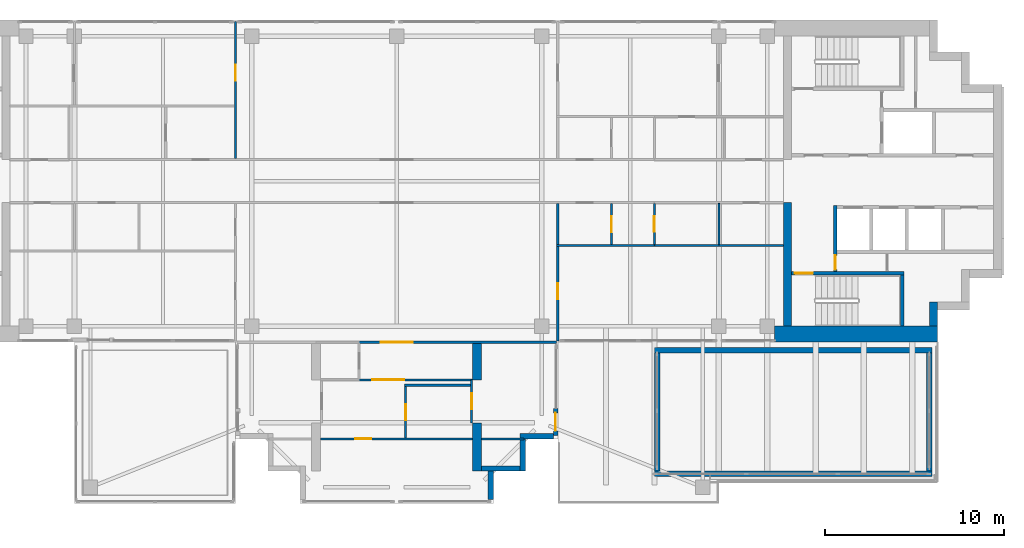
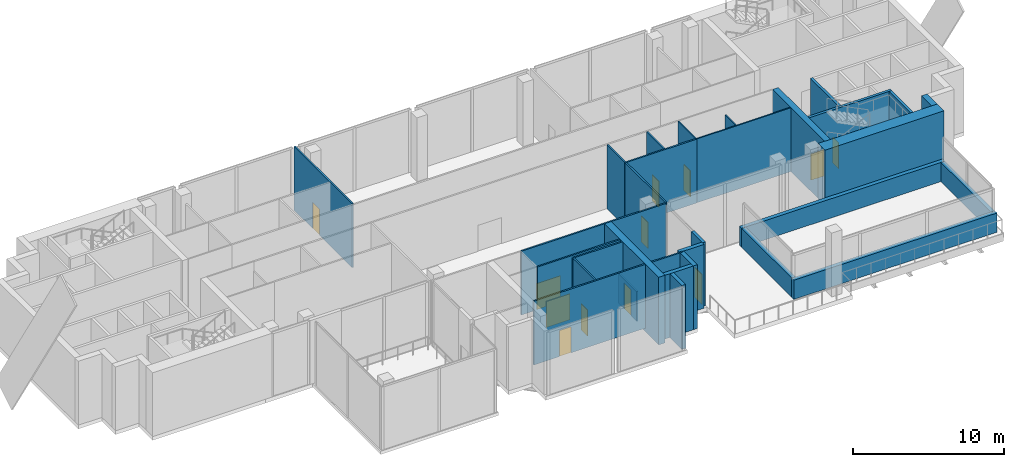
# One storey, part 8 of 14: 30 walls, 12 doors, 12 openings.
"""IFC4 building model written with IfcOpenShell, lengths in metres."""

from ifc_helpers import new_model, si_unit, direction, frame, frame_2d, origin, place, context, subcontext, project, spatial, polyline, rectangle, outline, extrude, material, layer, layer_set, material_profile, profile_set, type_object, element, fill, save


model = new_model("IFC4")

# Units and contexts
model_context = context("Model", 3, precision=1e-05, world=origin(), true_north=direction((0.0, 1.0)))
body_context = subcontext(model_context, "Body", "Model", "MODEL_VIEW")
ifc_project = project(units=[si_unit("LENGTHUNIT", "METRE"), si_unit("AREAUNIT", "SQUARE_METRE"), si_unit("VOLUMEUNIT", "CUBIC_METRE"), si_unit("PLANEANGLEUNIT", "RADIAN"), si_unit("MASSUNIT", "GRAM", prefix="KILO")], contexts=[model_context])

# Site, building, storey
site_placement = place(None, origin())
site = spatial("IfcSite", under=ifc_project, at=site_placement, CompositionType="ELEMENT")
building_placement = place(site_placement, origin())
building = spatial("IfcBuilding", under=site, at=building_placement, Name="Perihelion Cross Residences", CompositionType="ELEMENT")
storey_placement = place(building_placement, frame((0.0, 0.0, 285.0)))
storey = spatial("IfcBuildingStorey", under=building, at=storey_placement, Name="L73", CompositionType="ELEMENT", Elevation=285.0)

# Wall, opening, door
ifc_material_1 = material(Name="Concrete C30/37, bronze-clad", Category="concrete")
ifc_layer_1 = layer(ifc_material_1, 0.25)
ifc_layer_set_1 = layer_set([ifc_layer_1], Name="Bronze-clad pier wall 250")
wall_type_1 = type_object("IfcWallType", Name="Bronze-clad pier wall 250", PredefinedType="SOLIDWALL", material=ifc_layer_set_1)
wall_1_placement = place(storey_placement, frame((8.875, -14.199951171875, 0.0), z_axis=(0.0, 0.0, 1.0), x_axis=(0.0, 1.0, 0.0)))
wall_1 = element("IfcWall", 1, at=wall_1_placement, inside=storey, type_object=wall_type_1, Name="Wall FW1 L73 south side east bay 1 pier", PredefinedType="SOLIDWALL", context=body_context, shape_type="SweptSolid", body=[
    extrude(rectangle(XDim=1.5, YDim=0.25, at=frame_2d((0.75, 0.0))), origin(), (0.0, 0.0, 1.0), 5.14990234375),
])
opening_1_placement = place(wall_1_placement, frame((0.25, 0.0, 0.0)))
opening_1 = element("IfcOpeningElement", 2, at=opening_1_placement, cuts=wall_1, Name="Opening L73.E03", PredefinedType="OPENING", context=body_context, shape_type="SweptSolid", body=[
    extrude(rectangle(XDim=1.0, YDim=2.39990234375, at=frame_2d((0.5, 1.199951171875))), frame((0.0, 0.135009765625, 0.0), z_axis=(0.0, -1.0, 0.0), x_axis=(1.0, 0.0, 0.0)), (0.0, 0.0, 1.0), 0.27001953125),
])
ifc_material_2 = material(Name="Bronze anodised aluminium, glazed", Category="aluminium")
door_type_1 = type_object("IfcDoorType", Name="Balcony door 1000 x 2400", OperationType="NOTDEFINED", PredefinedType="DOOR", material=ifc_material_2)
door_1_placement = place(opening_1_placement, origin())
door_1 = element("IfcDoor", 3, at=door_1_placement, inside=storey, type_object=door_type_1, Name="Door L73.E03 south side east bay 1", OperationType="SINGLE_SWING_RIGHT", OverallHeight=2.39990234375, OverallWidth=1.0, PredefinedType="DOOR", context=body_context, shape_type="SweptSolid", body=[
    extrude(rectangle(XDim=1.0, YDim=2.39990234375, at=frame_2d((0.5, 1.199951171875))), frame((0.0, 0.02490234375, 0.0), z_axis=(0.0, -1.0, 0.0), x_axis=(1.0, 0.0, 0.0)), (0.0, 0.0, 1.0), 0.050048828125),
])
fill(opening_1, door_1)

# Walls
ifc_material_3 = material(Name="Concrete C30/37, bronze-clad", Category="concrete")
ifc_layer_2 = layer(ifc_material_3, 0.300048828125)
ifc_layer_set_2 = layer_set([ifc_layer_2], Name="Bronze-clad serration wall 300")
wall_type_2 = type_object("IfcWallType", Name="Bronze-clad serration wall 300", PredefinedType="SOLIDWALL", material=ifc_layer_set_2)
wall_2_placement = place(storey_placement, frame((5.25, -17.7900390625, 0.0), z_axis=(0.0, 0.0, 1.0), x_axis=(0.0, 1.0, 0.0)))
element("IfcWall", 4, at=wall_2_placement, inside=storey, type_object=wall_type_2, Name="Wall SR1 L73 south corner south-east 1", PredefinedType="SOLIDWALL", context=body_context, shape_type="SweptSolid", body=[
    extrude(rectangle(XDim=1.590087890625, YDim=0.300048828125, at=frame_2d((0.794921875, 0.0))), origin(), (0.0, 0.0, 1.0), 5.14990234375),
])
wall_3_placement = place(storey_placement, frame((4.75, -16.050048828125, 0.0), z_axis=(0.0, 0.0, 1.0), x_axis=(1.0, 0.0, 0.0)))
element("IfcWall", 5, at=wall_3_placement, inside=storey, type_object=wall_type_2, Name="Wall SR1 L73 south corner south-east 2", PredefinedType="SOLIDWALL", context=body_context, shape_type="SweptSolid", body=[
    extrude(rectangle(XDim=2.14990234375, YDim=0.300048828125, at=frame_2d((1.074951171875, 0.0))), origin(), (0.0, 0.0, 1.0), 5.14990234375),
])
wall_4_placement = place(storey_placement, frame((7.050048828125, -16.199951171875, 0.0), z_axis=(0.0, 0.0, 1.0), x_axis=(0.0, 1.0, 0.0)))
element("IfcWall", 6, at=wall_4_placement, inside=storey, type_object=wall_type_2, Name="Wall SR1 L73 south corner south-east 3", PredefinedType="SOLIDWALL", context=body_context, shape_type="SweptSolid", body=[
    extrude(rectangle(XDim=1.800048828125, YDim=0.300048828125, at=frame_2d((0.89990234375, 0.0))), origin(), (0.0, 0.0, 1.0), 5.14990234375),
])
wall_5_placement = place(storey_placement, frame((6.89990234375, -14.25, 0.0), z_axis=(0.0, 0.0, 1.0), x_axis=(1.0, 0.0, 0.0)))
element("IfcWall", 7, at=wall_5_placement, inside=storey, type_object=wall_type_2, Name="Wall SR1 L73 south corner south-east 4", PredefinedType="SOLIDWALL", context=body_context, shape_type="SweptSolid", body=[
    extrude(rectangle(XDim=1.85009765625, YDim=0.300048828125, at=frame_2d((0.925048828125, 0.0))), origin(), (0.0, 0.0, 1.0), 5.14990234375),
])
ifc_material_4 = material(Name="Concrete C60/75", Category="concrete")
ifc_layer_3 = layer(ifc_material_4, 0.449951171875)
ifc_layer_set_3 = layer_set([ifc_layer_3], Name="Core wall, inner 450")
wall_type_3 = type_object("IfcWallType", Name="Core wall, inner 450", PredefinedType="SHEAR", material=ifc_layer_set_3)
wall_6_placement = place(storey_placement, frame((21.824951171875, -8.10009765625, 0.0), z_axis=(0.0, 0.0, 1.0), x_axis=(0.0, 1.0, 0.0)))
element("IfcWall", 8, at=wall_6_placement, inside=storey, type_object=wall_type_3, Name="East core core wall, inner", PredefinedType="SHEAR", context=body_context, shape_type="SweptSolid", body=[
    extrude(rectangle(XDim=6.900146484375, YDim=0.449951171875, at=frame_2d((3.4501953125, 0.0))), origin(), (0.0, 0.0, 1.0), 5.14990234375),
])
ifc_material_5 = material(Name="Concrete C60/75", Category="concrete")
ifc_layer_4 = layer(ifc_material_5, 0.449951171875)
ifc_layer_set_4 = layer_set([ifc_layer_4], Name="Core wall, outer 450")
wall_type_4 = type_object("IfcWallType", Name="Core wall, outer 450", PredefinedType="SHEAR", material=ifc_layer_set_4)
wall_7_placement = place(storey_placement, frame((29.97509765625, -8.10009765625, 0.0), z_axis=(0.0, 0.0, 1.0), x_axis=(0.0, 1.0, 0.0)))
element("IfcWall", 9, at=wall_7_placement, inside=storey, type_object=wall_type_4, Name="East core core wall, outer", PredefinedType="SHEAR", context=body_context, shape_type="SweptSolid", body=[
    extrude(rectangle(XDim=1.35009765625, YDim=0.449951171875, at=frame_2d((0.675048828125, 0.0))), origin(), (0.0, 0.0, 1.0), 5.14990234375),
])
ifc_material_6 = material(Name="Concrete C60/75", Category="concrete")
ifc_layer_5 = layer(ifc_material_6, 0.89990234375)
ifc_layer_set_5 = layer_set([ifc_layer_5], Name="Core wall, outer 900")
wall_type_5 = type_object("IfcWallType", Name="Core wall, outer 900", PredefinedType="SHEAR", material=ifc_layer_set_5)
wall_8_placement = place(storey_placement, frame((21.10009765625, -8.550048828125, 0.0), z_axis=(0.0, 0.0, 1.0), x_axis=(1.0, 0.0, 0.0)))
element("IfcWall", 10, at=wall_8_placement, inside=storey, type_object=wall_type_5, Name="East core core wall, outer", PredefinedType="SHEAR", context=body_context, shape_type="SweptSolid", body=[
    extrude(rectangle(XDim=9.099853515625, YDim=0.89990234375, at=frame_2d((4.5498046875, 0.0))), origin(), (0.0, 0.0, 1.0), 5.14990234375),
])

# Wall, opening, door
ifc_material_7 = material(Name="Plasterboard partition")
ifc_layer_6 = layer(ifc_material_7, 0.1201171875)
ifc_layer_set_6 = layer_set([ifc_layer_6], Name="Infill panel 120")
wall_type_6 = type_object("IfcWallType", Name="Infill panel 120", PredefinedType="PARTITIONING", material=ifc_layer_set_6)
wall_9_placement = place(storey_placement, frame((4.18994140625, -11.10009765625, 0.0), z_axis=(0.0, 0.0, 1.0), x_axis=(0.0, -1.0, 0.0)))
wall_9 = element("IfcWall", 11, at=wall_9_placement, inside=storey, type_object=wall_type_6, Name="Partition L73 WI01", PredefinedType="PARTITIONING", context=body_context, shape_type="SweptSolid", body=[
    extrude(rectangle(XDim=2.39990234375, YDim=0.1201171875, at=frame_2d((1.199951171875, 0.0))), origin(), (0.0, 0.0, 1.0), 2.39990234375),
])
opening_2_placement = place(wall_9_placement, frame((0.75, 0.0, 0.0)))
opening_2 = element("IfcOpeningElement", 12, at=opening_2_placement, cuts=wall_9, Name="Opening L73.A28", PredefinedType="OPENING", context=body_context, shape_type="SweptSolid", body=[
    extrude(rectangle(XDim=0.89990234375, YDim=2.10009765625, at=frame_2d((0.449951171875, 1.050048828125))), frame((0.0, 0.070068359375, 0.0), z_axis=(0.0, -1.0, 0.0), x_axis=(1.0, 0.0, 0.0)), (0.0, 0.0, 1.0), 0.14013671875),
])
ifc_material_8 = material(Name="Timber door leaf", Category="wood")
door_type_2 = type_object("IfcDoorType", Name="Interior room door 900 x 2100", OperationType="SINGLE_SWING_LEFT", PredefinedType="DOOR", material=ifc_material_8)
door_2_placement = place(opening_2_placement, origin())
door_2 = element("IfcDoor", 13, at=door_2_placement, inside=storey, type_object=door_type_2, Name="Door L73.A28", OperationType="SINGLE_SWING_LEFT", OverallHeight=2.10009765625, OverallWidth=0.89990234375, PredefinedType="DOOR", context=body_context, shape_type="SweptSolid", body=[
    extrude(rectangle(XDim=0.89990234375, YDim=2.10009765625, at=frame_2d((0.449951171875, 1.050048828125))), frame((0.0, 0.02490234375, 0.0), z_axis=(0.0, -1.0, 0.0), x_axis=(1.0, 0.0, 0.0)), (0.0, 0.0, 1.0), 0.050048828125),
])
fill(opening_2, door_2)

ifc_material_9 = material(Name="Concrete C50/60", Category="concrete")
ifc_layer_7 = layer(ifc_material_9, 0.199951171875)
ifc_layer_set_7 = layer_set([ifc_layer_7], Name="Lobby wall 200")
wall_type_7 = type_object("IfcWallType", Name="Lobby wall 200", PredefinedType="SOLIDWALL", material=ifc_layer_set_7)
wall_10_placement = place(storey_placement, frame((24.5, -5.050048828125, 0.0), z_axis=(0.0, 0.0, 1.0), x_axis=(0.0, 1.0, 0.0)))
wall_10 = element("IfcWall", 14, at=wall_10_placement, inside=storey, type_object=wall_type_7, Name="East core lobby wall", PredefinedType="SOLIDWALL", context=body_context, shape_type="SweptSolid", body=[
    extrude(rectangle(XDim=3.699951171875, YDim=0.199951171875, at=frame_2d((1.85009765625, 0.0))), origin(), (0.0, 0.0, 1.0), 5.14990234375),
])
opening_3_placement = place(wall_10_placement, frame((0.10009765625, 0.0, 0.0)))
opening_3 = element("IfcOpeningElement", 15, at=opening_3_placement, cuts=wall_10, Name="Opening L73.C08", PredefinedType="OPENING", context=body_context, shape_type="SweptSolid", body=[
    extrude(rectangle(XDim=0.800048828125, YDim=2.10009765625, at=frame_2d((0.39990234375, 1.050048828125))), frame((0.0, 0.10986328125, 0.0), z_axis=(0.0, -1.0, 0.0), x_axis=(1.0, 0.0, 0.0)), (0.0, 0.0, 1.0), 0.219970703125),
])
ifc_material_10 = material(Name="Steel, powder coated", Category="steel")
door_type_3 = type_object("IfcDoorType", Name="Riser door 800", OperationType="SINGLE_SWING_LEFT", PredefinedType="DOOR", material=ifc_material_10)
door_3_placement = place(opening_3_placement, origin())
door_3 = element("IfcDoor", 16, at=door_3_placement, inside=storey, type_object=door_type_3, Name="East core riser door", OperationType="SINGLE_SWING_LEFT", OverallHeight=2.10009765625, OverallWidth=0.800048828125, PredefinedType="DOOR", context=body_context, shape_type="SweptSolid", body=[
    extrude(rectangle(XDim=0.800048828125, YDim=2.10009765625, at=frame_2d((0.39990234375, 1.050048828125))), frame((0.0, 0.02490234375, 0.0), z_axis=(0.0, -1.0, 0.0), x_axis=(1.0, 0.0, 0.0)), (0.0, 0.0, 1.0), 0.050048828125),
])
fill(opening_3, door_3)

ifc_material_11 = material(Name="Plasterboard partition")
ifc_layer_8 = layer(ifc_material_11, 0.1201171875)
ifc_layer_set_8 = layer_set([ifc_layer_8], Name="Partition wall 120")
wall_type_8 = type_object("IfcWallType", Name="Partition wall 120", PredefinedType="PARTITIONING", material=ifc_layer_set_8)
wall_11_placement = place(storey_placement, frame((-9.0, 1.260009765625, 0.0), z_axis=(0.0, 0.0, 1.0), x_axis=(0.0, 1.0, 0.0)))
wall_11 = element("IfcWall", 17, at=wall_11_placement, inside=storey, type_object=wall_type_8, Name="Partition L73 W008", PredefinedType="PARTITIONING", context=body_context, shape_type="SweptSolid", body=[
    extrude(rectangle(XDim=7.659912109375, YDim=0.1201171875, at=frame_2d((3.830078125, 0.0))), origin(), (0.0, 0.0, 1.0), 5.14990234375),
])
opening_4_placement = place(wall_11_placement, frame((4.340087890625, 0.0, 0.0)))
opening_4 = element("IfcOpeningElement", 18, at=opening_4_placement, cuts=wall_11, Name="Opening L73.A14", PredefinedType="OPENING", context=body_context, shape_type="SweptSolid", body=[
    extrude(rectangle(XDim=0.89990234375, YDim=2.10009765625, at=frame_2d((0.449951171875, 1.050048828125))), frame((0.0, 0.070068359375, 0.0), z_axis=(0.0, -1.0, 0.0), x_axis=(1.0, 0.0, 0.0)), (0.0, 0.0, 1.0), 0.14013671875),
])
door_4_placement = place(opening_4_placement, origin())
door_4 = element("IfcDoor", 19, at=door_4_placement, inside=storey, type_object=door_type_2, Name="Door L73.A14", OperationType="SINGLE_SWING_LEFT", OverallHeight=2.10009765625, OverallWidth=0.89990234375, PredefinedType="DOOR", context=body_context, shape_type="SweptSolid", body=[
    extrude(rectangle(XDim=0.89990234375, YDim=2.10009765625, at=frame_2d((0.449951171875, 1.050048828125))), frame((0.0, 0.02490234375, 0.0), z_axis=(0.0, -1.0, 0.0), x_axis=(1.0, 0.0, 0.0)), (0.0, 0.0, 1.0), 0.050048828125),
])
fill(opening_4, door_4)

wall_12_placement = place(storey_placement, frame((9.0, -1.260009765625, 0.0), z_axis=(0.0, 0.0, 1.0), x_axis=(0.0, -1.0, 0.0)))
wall_12 = element("IfcWall", 20, at=wall_12_placement, inside=storey, type_object=wall_type_8, Name="Partition L73 W009", PredefinedType="PARTITIONING", context=body_context, shape_type="SweptSolid", body=[
    extrude(rectangle(XDim=7.659912109375, YDim=0.1201171875, at=frame_2d((3.830078125, 0.0))), origin(), (0.0, 0.0, 1.0), 5.14990234375),
])
opening_5_placement = place(wall_12_placement, frame((4.43994140625, 0.0, 0.0)))
opening_5 = element("IfcOpeningElement", 21, at=opening_5_placement, cuts=wall_12, Name="Opening L73.A16", PredefinedType="OPENING", context=body_context, shape_type="SweptSolid", body=[
    extrude(rectangle(XDim=0.89990234375, YDim=2.10009765625, at=frame_2d((0.449951171875, 1.050048828125))), frame((0.0, 0.070068359375, 0.0), z_axis=(0.0, -1.0, 0.0), x_axis=(1.0, 0.0, 0.0)), (0.0, 0.0, 1.0), 0.14013671875),
])
door_5_placement = place(opening_5_placement, origin())
door_5 = element("IfcDoor", 22, at=door_5_placement, inside=storey, type_object=door_type_2, Name="Door L73.A16", OperationType="SINGLE_SWING_LEFT", OverallHeight=2.10009765625, OverallWidth=0.89990234375, PredefinedType="DOOR", context=body_context, shape_type="SweptSolid", body=[
    extrude(rectangle(XDim=0.89990234375, YDim=2.10009765625, at=frame_2d((0.449951171875, 1.050048828125))), frame((0.0, 0.02490234375, 0.0), z_axis=(0.0, -1.0, 0.0), x_axis=(1.0, 0.0, 0.0)), (0.0, 0.0, 1.0), 0.050048828125),
])
fill(opening_5, door_5)

wall_13_placement = place(storey_placement, frame((8.919921875, -9.0, 0.0), z_axis=(0.0, 0.0, 1.0), x_axis=(-1.0, 0.0, 0.0)))
wall_13 = element("IfcWall", 23, at=wall_13_placement, inside=storey, type_object=wall_type_8, Name="Partition L73 W011", PredefinedType="PARTITIONING", context=body_context, shape_type="SweptSolid", body=[
    extrude(rectangle(XDim=11.02001953125, YDim=0.1201171875, at=frame_2d((5.510009765625, 0.0))), origin(), (0.0, 0.0, 1.0), 5.14990234375),
])
opening_6_placement = place(wall_13_placement, frame((8.02001953125, 0.0, 0.0)))
opening_6 = element("IfcOpeningElement", 24, at=opening_6_placement, cuts=wall_13, Name="Opening L73.A23", PredefinedType="OPENING", context=body_context, shape_type="SweptSolid", body=[
    extrude(rectangle(XDim=1.800048828125, YDim=2.10009765625, at=frame_2d((0.89990234375, 1.050048828125))), frame((0.0, 0.070068359375, 0.0), z_axis=(0.0, -1.0, 0.0), x_axis=(1.0, 0.0, 0.0)), (0.0, 0.0, 1.0), 0.14013671875),
])
ifc_material_12 = material(Name="Glazed timber door leaf", Category="wood")
door_type_4 = type_object("IfcDoorType", Name="Interior double leaf door 1800 x 2100", OperationType="DOUBLE_DOOR_SINGLE_SWING", PredefinedType="DOOR", material=ifc_material_12)
door_6_placement = place(opening_6_placement, origin())
door_6 = element("IfcDoor", 25, at=door_6_placement, inside=storey, type_object=door_type_4, Name="Door L73.A23", OperationType="SINGLE_SWING_LEFT", OverallHeight=2.10009765625, OverallWidth=1.800048828125, PredefinedType="DOOR", context=body_context, shape_type="SweptSolid", body=[
    extrude(rectangle(XDim=1.800048828125, YDim=2.10009765625, at=frame_2d((0.89990234375, 1.050048828125))), frame((0.0, 0.02490234375, 0.0), z_axis=(0.0, -1.0, 0.0), x_axis=(1.0, 0.0, 0.0)), (0.0, 0.0, 1.0), 0.050048828125),
])
fill(opening_6, door_6)

# Wall
wall_14_placement = place(storey_placement, frame((8.93994140625, -3.60009765625, 0.0), z_axis=(0.0, 0.0, 1.0), x_axis=(1.0, 0.0, 0.0)))
element("IfcWall", 26, at=wall_14_placement, inside=storey, type_object=wall_type_8, Name="Partition L73 W020", PredefinedType="PARTITIONING", context=body_context, shape_type="SweptSolid", body=[
    extrude(rectangle(XDim=5.4599609375, YDim=0.1201171875, at=frame_2d((2.72998046875, 0.0))), origin(), (0.0, 0.0, 1.0), 5.14990234375),
])

# Wall, opening, door
wall_15_placement = place(storey_placement, frame((12.0, -1.260009765625, 0.0), z_axis=(0.0, 0.0, 1.0), x_axis=(0.0, -1.0, 0.0)))
wall_15 = element("IfcWall", 27, at=wall_15_placement, inside=storey, type_object=wall_type_8, Name="Partition L73 W022", PredefinedType="PARTITIONING", context=body_context, shape_type="SweptSolid", body=[
    extrude(rectangle(XDim=2.280029296875, YDim=0.1201171875, at=frame_2d((1.14013671875, 0.0))), origin(), (0.0, 0.0, 1.0), 5.14990234375),
])
opening_7_placement = place(wall_15_placement, frame((0.68994140625, 0.0, 0.0)))
opening_7 = element("IfcOpeningElement", 28, at=opening_7_placement, cuts=wall_15, Name="Opening L73.A12", PredefinedType="OPENING", context=body_context, shape_type="SweptSolid", body=[
    extrude(rectangle(XDim=0.89990234375, YDim=2.10009765625, at=frame_2d((0.449951171875, 1.050048828125))), frame((0.0, 0.070068359375, 0.0), z_axis=(0.0, -1.0, 0.0), x_axis=(1.0, 0.0, 0.0)), (0.0, 0.0, 1.0), 0.14013671875),
])
door_7_placement = place(opening_7_placement, origin())
door_7 = element("IfcDoor", 29, at=door_7_placement, inside=storey, type_object=door_type_2, Name="Door L73.A12", OperationType="SINGLE_SWING_LEFT", OverallHeight=2.10009765625, OverallWidth=0.89990234375, PredefinedType="DOOR", context=body_context, shape_type="SweptSolid", body=[
    extrude(rectangle(XDim=0.89990234375, YDim=2.10009765625, at=frame_2d((0.449951171875, 1.050048828125))), frame((0.0, 0.02490234375, 0.0), z_axis=(0.0, -1.0, 0.0), x_axis=(1.0, 0.0, 0.0)), (0.0, 0.0, 1.0), 0.050048828125),
])
fill(opening_7, door_7)

wall_16_placement = place(storey_placement, frame((4.25, -11.10009765625, 0.0), z_axis=(0.0, 0.0, 1.0), x_axis=(-1.0, 0.0, 0.0)))
wall_16 = element("IfcWall", 30, at=wall_16_placement, inside=storey, type_object=wall_type_8, Name="Partition L73 W035", PredefinedType="PARTITIONING", context=body_context, shape_type="SweptSolid", body=[
    extrude(rectangle(XDim=6.35009765625, YDim=0.1201171875, at=frame_2d((3.175048828125, 0.0))), origin(), (0.0, 0.0, 1.0), 5.14990234375),
])
opening_8_placement = place(wall_16_placement, frame((3.824951171875, 0.0, 0.0)))
opening_8 = element("IfcOpeningElement", 31, at=opening_8_placement, cuts=wall_16, Name="Opening L73.A25", PredefinedType="OPENING", context=body_context, shape_type="SweptSolid", body=[
    extrude(rectangle(XDim=1.800048828125, YDim=2.10009765625, at=frame_2d((0.89990234375, 1.050048828125))), frame((0.0, 0.070068359375, 0.0), z_axis=(0.0, -1.0, 0.0), x_axis=(1.0, 0.0, 0.0)), (0.0, 0.0, 1.0), 0.14013671875),
])
door_8_placement = place(opening_8_placement, origin())
door_8 = element("IfcDoor", 32, at=door_8_placement, inside=storey, type_object=door_type_4, Name="Door L73.A25", OperationType="SINGLE_SWING_LEFT", OverallHeight=2.10009765625, OverallWidth=1.800048828125, PredefinedType="DOOR", context=body_context, shape_type="SweptSolid", body=[
    extrude(rectangle(XDim=1.800048828125, YDim=2.10009765625, at=frame_2d((0.89990234375, 1.050048828125))), frame((0.0, 0.02490234375, 0.0), z_axis=(0.0, -1.0, 0.0), x_axis=(1.0, 0.0, 0.0)), (0.0, 0.0, 1.0), 0.050048828125),
])
fill(opening_8, door_8)

# Wall
wall_17_placement = place(storey_placement, frame((4.25, -11.39990234375, 0.0), z_axis=(0.0, 0.0, 1.0), x_axis=(-1.0, 0.0, 0.0)))
element("IfcWall", 33, at=wall_17_placement, inside=storey, type_object=wall_type_8, Name="Partition L73 W037", PredefinedType="PARTITIONING", context=body_context, shape_type="SweptSolid", body=[
    extrude(rectangle(XDim=3.81005859375, YDim=0.1201171875, at=frame_2d((1.905029296875, 0.0))), origin(), (0.0, 0.0, 1.0), 5.14990234375),
])

# Wall, opening, door
wall_18_placement = place(storey_placement, frame((0.5, -11.4599609375, 0.0), z_axis=(0.0, 0.0, 1.0), x_axis=(0.0, -1.0, 0.0)))
wall_18 = element("IfcWall", 34, at=wall_18_placement, inside=storey, type_object=wall_type_8, Name="Partition L73 W038", PredefinedType="PARTITIONING", context=body_context, shape_type="SweptSolid", body=[
    extrude(rectangle(XDim=2.880126953125, YDim=0.1201171875, at=frame_2d((1.43994140625, 0.0))), origin(), (0.0, 0.0, 1.0), 5.14990234375),
])
opening_9_placement = place(wall_18_placement, frame((0.989990234375, 0.0, 0.0)))
opening_9 = element("IfcOpeningElement", 35, at=opening_9_placement, cuts=wall_18, Name="Opening L73.A26", PredefinedType="OPENING", context=body_context, shape_type="SweptSolid", body=[
    extrude(rectangle(XDim=0.89990234375, YDim=2.10009765625, at=frame_2d((0.449951171875, 1.050048828125))), frame((0.0, 0.070068359375, 0.0), z_axis=(0.0, -1.0, 0.0), x_axis=(1.0, 0.0, 0.0)), (0.0, 0.0, 1.0), 0.14013671875),
])
door_9_placement = place(opening_9_placement, origin())
door_9 = element("IfcDoor", 36, at=door_9_placement, inside=storey, type_object=door_type_2, Name="Door L73.A26", OperationType="SINGLE_SWING_LEFT", OverallHeight=2.10009765625, OverallWidth=0.89990234375, PredefinedType="DOOR", context=body_context, shape_type="SweptSolid", body=[
    extrude(rectangle(XDim=0.89990234375, YDim=2.10009765625, at=frame_2d((0.449951171875, 1.050048828125))), frame((0.0, 0.02490234375, 0.0), z_axis=(0.0, -1.0, 0.0), x_axis=(1.0, 0.0, 0.0)), (0.0, 0.0, 1.0), 0.050048828125),
])
fill(opening_9, door_9)

wall_19_placement = place(storey_placement, frame((4.25, -14.39990234375, 0.0), z_axis=(0.0, 0.0, 1.0), x_axis=(-1.0, 0.0, 0.0)))
wall_19 = element("IfcWall", 37, at=wall_19_placement, inside=storey, type_object=wall_type_8, Name="Partition L73 W039", PredefinedType="PARTITIONING", context=body_context, shape_type="SweptSolid", body=[
    extrude(rectangle(XDim=8.5, YDim=0.1201171875, at=frame_2d((4.25, 0.0))), origin(), (0.0, 0.0, 1.0), 5.14990234375),
])
opening_10_placement = place(wall_19_placement, frame((5.675048828125, 0.0, 0.0)))
opening_10 = element("IfcOpeningElement", 38, at=opening_10_placement, cuts=wall_19, Name="Opening L73.A27", PredefinedType="OPENING", context=body_context, shape_type="SweptSolid", body=[
    extrude(rectangle(XDim=0.89990234375, YDim=2.10009765625, at=frame_2d((0.449951171875, 1.050048828125))), frame((0.0, 0.070068359375, 0.0), z_axis=(0.0, -1.0, 0.0), x_axis=(1.0, 0.0, 0.0)), (0.0, 0.0, 1.0), 0.14013671875),
])
door_10_placement = place(opening_10_placement, origin())
door_10 = element("IfcDoor", 39, at=door_10_placement, inside=storey, type_object=door_type_2, Name="Door L73.A27", OperationType="SINGLE_SWING_LEFT", OverallHeight=2.10009765625, OverallWidth=0.89990234375, PredefinedType="DOOR", context=body_context, shape_type="SweptSolid", body=[
    extrude(rectangle(XDim=0.89990234375, YDim=2.10009765625, at=frame_2d((0.449951171875, 1.050048828125))), frame((0.0, 0.02490234375, 0.0), z_axis=(0.0, -1.0, 0.0), x_axis=(1.0, 0.0, 0.0)), (0.0, 0.0, 1.0), 0.050048828125),
])
fill(opening_10, door_10)

# Walls
wall_20_placement = place(storey_placement, frame((7.1201171875, -14.39990234375, 0.0), z_axis=(0.0, 0.0, 1.0), x_axis=(-1.0, 0.0, 0.0)))
element("IfcWall", 40, at=wall_20_placement, inside=storey, type_object=wall_type_8, Name="Partition L73 W040", PredefinedType="PARTITIONING", context=body_context, shape_type="SweptSolid", body=[
    extrude(rectangle(XDim=2.3701171875, YDim=0.1201171875, at=frame_2d((1.18505859375, 0.0))), origin(), (0.0, 0.0, 1.0), 5.14990234375),
])
ifc_material_13 = material(Name="Concrete C40/50, waterproofed", Category="concrete")
ifc_layer_9 = layer(ifc_material_13, 0.300048828125)
ifc_layer_set_9 = layer_set([ifc_layer_9], Name="Pool basin wall 300")
wall_type_9 = type_object("IfcWallType", Name="Pool basin wall 300", PredefinedType="SOLIDWALL", material=ifc_layer_set_9)
wall_21_placement = place(storey_placement, frame((29.75, -9.60009765625, 0.0), z_axis=(0.0, 0.0, 1.0), x_axis=(0.0, -1.0, 0.0)))
element("IfcWall", 41, at=wall_21_placement, inside=storey, type_object=wall_type_9, Name="Wall PB1 L73 pool no. 1", PredefinedType="SOLIDWALL", context=body_context, shape_type="SweptSolid", body=[
    extrude(rectangle(XDim=6.599853515625, YDim=0.300048828125, at=frame_2d((3.2998046875, 0.0))), origin(), (0.0, 0.0, 1.0), 1.550048828125),
])
for number, where, z_axis, x_axis, name in (
    (42, (14.39990234375, -9.449951171875, 0.0), (0.0, 0.0, 1.0), (1.0, 0.0, 0.0), "Wall PB1 L73 pool no. 2"),
    (43, (14.39990234375, -16.35009765625, 0.0), (0.0, 0.0, 1.0), (1.0, 0.0, 0.0), "Wall PB1 L73 pool no. 3"),
):
    element("IfcWall", number, at=place(storey_placement, frame(where, z_axis=z_axis, x_axis=x_axis)), inside=storey, type_object=wall_type_9, Name=name, PredefinedType="SOLIDWALL", context=body_context, shape_type="SweptSolid", body=[
        extrude(rectangle(XDim=15.5, YDim=0.300048828125, at=frame_2d((7.75, 0.0))), origin(), (0.0, 0.0, 1.0), 1.550048828125),
    ])
wall_22_placement = place(storey_placement, frame((14.550048828125, -9.60009765625, 0.0), z_axis=(0.0, 0.0, 1.0), x_axis=(0.0, -1.0, 0.0)))
element("IfcWall", 44, at=wall_22_placement, inside=storey, type_object=wall_type_9, Name="Wall PB1 L73 pool no. 4", PredefinedType="SOLIDWALL", context=body_context, shape_type="SweptSolid", body=[
    extrude(rectangle(XDim=6.599853515625, YDim=0.300048828125, at=frame_2d((3.2998046875, 0.0))), origin(), (0.0, 0.0, 1.0), 1.550048828125),
])

# Wall, opening, door
ifc_material_14 = material(Name="Concrete C50/60", Category="concrete")
ifc_layer_10 = layer(ifc_material_14, 0.199951171875)
ifc_layer_set_10 = layer_set([ifc_layer_10], Name="Stair wall 200")
wall_type_10 = type_object("IfcWallType", Name="Stair wall 200", PredefinedType="SOLIDWALL", material=ifc_layer_set_10)
wall_23_placement = place(storey_placement, frame((22.050048828125, -5.14990234375, 0.0), z_axis=(0.0, 0.0, 1.0), x_axis=(1.0, 0.0, 0.0)))
wall_23 = element("IfcWall", 45, at=wall_23_placement, inside=storey, type_object=wall_type_10, Name="East core stair wall", PredefinedType="SOLIDWALL", context=body_context, shape_type="SweptSolid", body=[
    extrude(rectangle(XDim=6.300048828125, YDim=0.199951171875, at=frame_2d((3.14990234375, 0.0))), origin(), (0.0, 0.0, 1.0), 5.14990234375),
])
opening_11_placement = place(wall_23_placement, frame((0.199951171875, 0.0, 0.0)))
opening_11 = element("IfcOpeningElement", 46, at=opening_11_placement, cuts=wall_23, Name="Opening L73.C05", PredefinedType="OPENING", context=body_context, shape_type="SweptSolid", body=[
    extrude(rectangle(XDim=1.0, YDim=2.10009765625, at=frame_2d((0.5, 1.050048828125))), frame((0.0, 0.10986328125, 0.0), z_axis=(0.0, -1.0, 0.0), x_axis=(1.0, 0.0, 0.0)), (0.0, 0.0, 1.0), 0.219970703125),
])
ifc_material_15 = material(Name="Steel, powder coated", Category="steel")
door_type_5 = type_object("IfcDoorType", Name="Stair door 1000", OperationType="SINGLE_SWING_LEFT", PredefinedType="DOOR", material=ifc_material_15)
door_11_placement = place(opening_11_placement, origin())
door_11 = element("IfcDoor", 47, at=door_11_placement, inside=storey, type_object=door_type_5, Name="East core stair door", OperationType="SINGLE_SWING_LEFT", OverallHeight=2.10009765625, OverallWidth=1.0, PredefinedType="DOOR", context=body_context, shape_type="SweptSolid", body=[
    extrude(rectangle(XDim=1.0, YDim=2.10009765625, at=frame_2d((0.5, 1.050048828125))), frame((0.0, 0.02490234375, 0.0), z_axis=(0.0, -1.0, 0.0), x_axis=(1.0, 0.0, 0.0)), (0.0, 0.0, 1.0), 0.050048828125),
])
fill(opening_11, door_11)

# Walls
wall_24_placement = place(storey_placement, frame((28.25, -8.10009765625, 0.0), z_axis=(0.0, 0.0, 1.0), x_axis=(0.0, 1.0, 0.0)))
element("IfcWall", 48, at=wall_24_placement, inside=storey, type_object=wall_type_10, Name="East core stair wall", PredefinedType="SOLIDWALL", context=body_context, shape_type="SweptSolid", body=[
    extrude(rectangle(XDim=2.85009765625, YDim=0.199951171875, at=frame_2d((1.425048828125, 0.0))), origin(), (0.0, 0.0, 1.0), 5.14990234375),
])
ifc_material_16 = material(Name="Concrete C50/60", Category="concrete")
ifc_material_profile = material_profile(ifc_material_16, outline(polyline([(0.0, 0.0), (2.699951171875, 0.0), (2.699951171875, 2.699951171875), (5.10009765625, 2.699951171875), (5.10009765625, 0.0), (7.199951171875, 0.0), (7.199951171875, 5.449951171875), (0.0, 5.449951171875), (0.0, 0.0)])), Name="Tip spine wall")
ifc_profile_set = profile_set([ifc_material_profile], Name="Concrete C50/60")
wall_type_11 = type_object("IfcWallType", Name="Tip spine wall 500 with 1 door openings 7200 long 5450 high concrete C50/60", PredefinedType="SHEAR", material=ifc_profile_set)
wall_25_placement = place(storey_placement, frame((4.25, -16.199951171875, -0.300048828125), z_axis=(1.0, 0.0, 0.0), x_axis=(0.0, 1.0, 0.0)))
element("IfcWall", 49, at=wall_25_placement, inside=storey, type_object=wall_type_11, Name="Shear wall SW47 L73 south east", PredefinedType="SHEAR", context=body_context, shape_type="SweptSolid", body=[
    extrude(outline(polyline([(0.0, 0.0), (2.699951171875, 0.0), (2.699951171875, 2.699951171875), (5.10009765625, 2.699951171875), (5.10009765625, 0.0), (7.199951171875, 0.0), (7.199951171875, 5.449951171875), (0.0, 5.449951171875), (0.0, 0.0)])), origin(), (0.0, 0.0, 1.0), 0.5),
])
ifc_material_17 = material(Name="Plasterboard partition")
ifc_layer_11 = layer(ifc_material_17, 0.10009765625)
ifc_layer_set_11 = layer_set([ifc_layer_11], Name="Wet room wall 100")
wall_type_12 = type_object("IfcWallType", Name="Wet room wall 100", PredefinedType="PARTITIONING", material=ifc_layer_set_11)
wall_26_placement = place(storey_placement, frame((14.39990234375, -3.60009765625, 0.0), z_axis=(0.0, 0.0, 1.0), x_axis=(1.0, 0.0, 0.0)))
element("IfcWall", 50, at=wall_26_placement, inside=storey, type_object=wall_type_12, Name="Partition L73 W021", PredefinedType="PARTITIONING", context=body_context, shape_type="SweptSolid", body=[
    extrude(rectangle(XDim=7.2001953125, YDim=0.10009765625, at=frame_2d((3.60009765625, 0.0))), origin(), (0.0, 0.0, 1.0), 5.14990234375),
])

# Wall, opening, door
wall_27_placement = place(storey_placement, frame((14.39990234375, -1.260009765625, 0.0), z_axis=(0.0, 0.0, 1.0), x_axis=(0.0, -1.0, 0.0)))
wall_27 = element("IfcWall", 51, at=wall_27_placement, inside=storey, type_object=wall_type_12, Name="Partition L73 W023", PredefinedType="PARTITIONING", context=body_context, shape_type="SweptSolid", body=[
    extrude(rectangle(XDim=2.280029296875, YDim=0.10009765625, at=frame_2d((1.14013671875, 0.0))), origin(), (0.0, 0.0, 1.0), 5.14990234375),
])
opening_12_placement = place(wall_27_placement, frame((0.715087890625, 0.0, 0.0)))
opening_12 = element("IfcOpeningElement", 52, at=opening_12_placement, cuts=wall_27, Name="Opening L73.A13", PredefinedType="OPENING", context=body_context, shape_type="SweptSolid", body=[
    extrude(rectangle(XDim=0.85009765625, YDim=2.10009765625, at=frame_2d((0.425048828125, 1.050048828125))), frame((0.0, 0.06005859375, 0.0), z_axis=(0.0, -1.0, 0.0), x_axis=(1.0, 0.0, 0.0)), (0.0, 0.0, 1.0), 0.1201171875),
])
ifc_material_18 = material(Name="Timber door leaf", Category="wood")
door_type_6 = type_object("IfcDoorType", Name="Interior bathroom door 850 x 2100", OperationType="SINGLE_SWING_LEFT", PredefinedType="DOOR", material=ifc_material_18)
door_12_placement = place(opening_12_placement, origin())
door_12 = element("IfcDoor", 53, at=door_12_placement, inside=storey, type_object=door_type_6, Name="Door L73.A13", OperationType="SINGLE_SWING_LEFT", OverallHeight=2.10009765625, OverallWidth=0.85009765625, PredefinedType="DOOR", context=body_context, shape_type="SweptSolid", body=[
    extrude(rectangle(XDim=0.85009765625, YDim=2.10009765625, at=frame_2d((0.425048828125, 1.050048828125))), frame((0.0, 0.02490234375, 0.0), z_axis=(0.0, -1.0, 0.0), x_axis=(1.0, 0.0, 0.0)), (0.0, 0.0, 1.0), 0.050048828125),
])
fill(opening_12, door_12)

# Wall
wall_28_placement = place(storey_placement, frame((18.0, -1.25, 0.0), z_axis=(0.0, 0.0, 1.0), x_axis=(0.0, -1.0, 0.0)))
element("IfcWall", 54, at=wall_28_placement, inside=storey, type_object=wall_type_12, Name="Partition L73 W024", PredefinedType="PARTITIONING", context=body_context, shape_type="SweptSolid", body=[
    extrude(rectangle(XDim=2.300048828125, YDim=0.10009765625, at=frame_2d((1.14990234375, 0.0))), origin(), (0.0, 0.0, 1.0), 4.39599609375),
])

save(model, "model.ifc")
